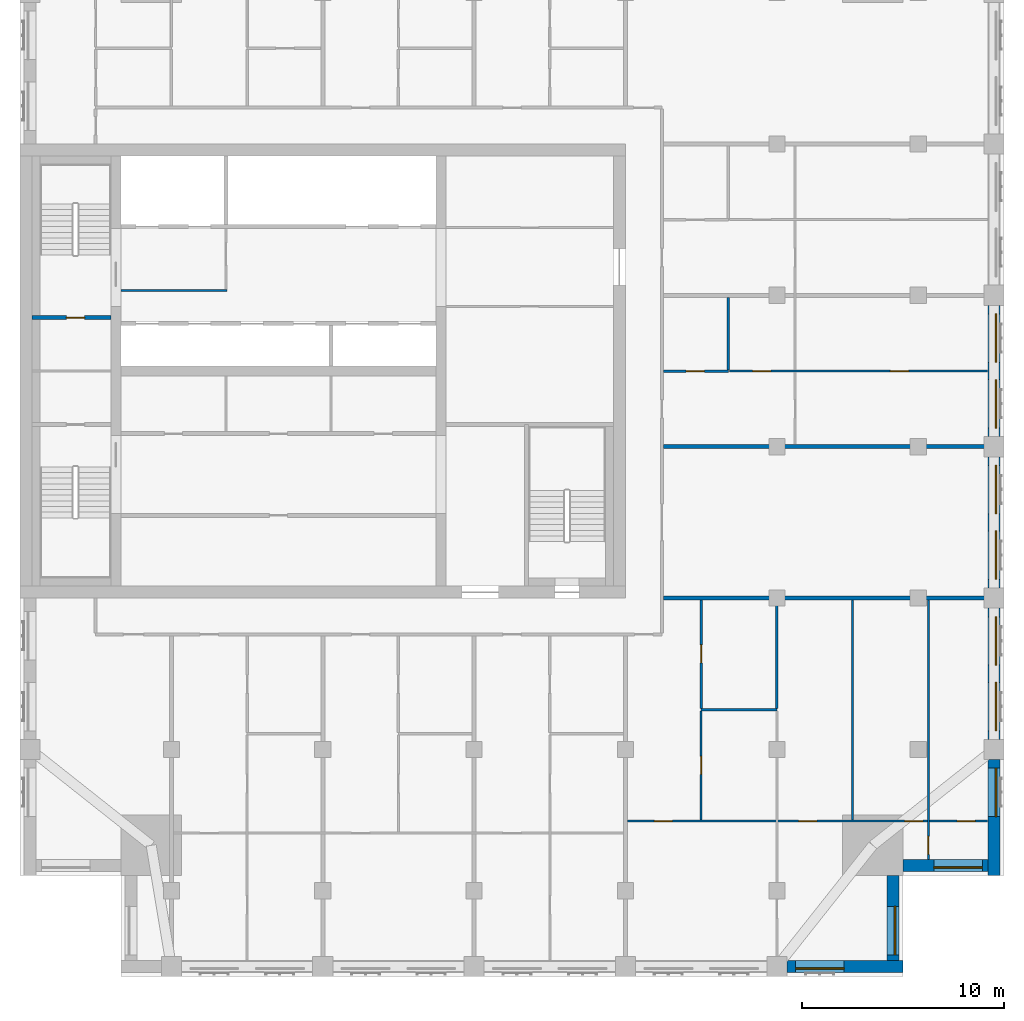
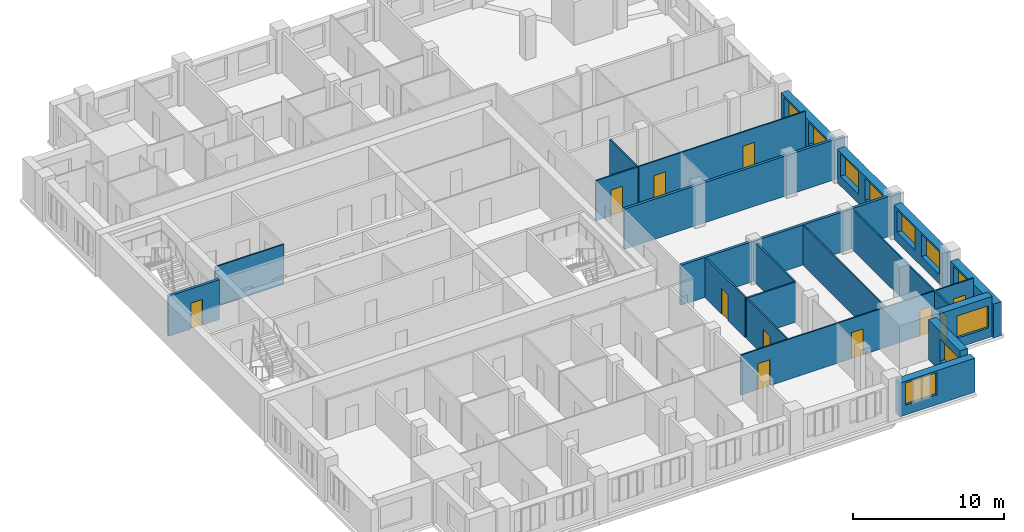
# One storey, part 5 of 11: 21 walls, 11 doors, 10 windows, 21 openings.
"""IFC4 building model written with IfcOpenShell, lengths in metres."""

from ifc_helpers import new_model, si_unit, direction, frame, frame_2d, origin, place, context, subcontext, project, spatial, rectangle, extrude, material, layer, layer_set, type_object, element, fill, save


model = new_model("IFC4")

# Units and contexts
model_context = context("Model", 3, precision=1e-05, world=origin(), true_north=direction((0.0, 1.0)))
body_context = subcontext(model_context, "Body", "Model", "MODEL_VIEW")
ifc_project = project(units=[si_unit("LENGTHUNIT", "METRE"), si_unit("AREAUNIT", "SQUARE_METRE"), si_unit("VOLUMEUNIT", "CUBIC_METRE"), si_unit("PLANEANGLEUNIT", "RADIAN"), si_unit("MASSUNIT", "GRAM", prefix="KILO")], contexts=[model_context])

# Site, building, storey
site_placement = place(None, origin())
site = spatial("IfcSite", under=ifc_project, at=site_placement, CompositionType="ELEMENT")
building_placement = place(site_placement, origin())
building = spatial("IfcBuilding", under=site, at=building_placement, Name="Tamorin Gate", CompositionType="ELEMENT")
storey_placement = place(building_placement, frame((0.0, 0.0, 240.699951171875)))
storey = spatial("IfcBuildingStorey", under=building, at=storey_placement, Name="L60", CompositionType="ELEMENT", Elevation=240.699951171875)

# Wall, opening, window
ifc_material_1 = material(Name="Precast concrete C40/50", Category="concrete")
ifc_layer_1 = layer(ifc_material_1, 0.60009765625)
ifc_layer_set_1 = layer_set([ifc_layer_1], Name="Precast concrete C40/50")
wall_type_1 = type_object("IfcWallType", Name="Board-marked concrete facade panel 600", PredefinedType="SOLIDWALL", material=ifc_layer_set_1)
wall_1_placement = place(storey_placement, frame((68.0, 41.75, 0.0), z_axis=(0.0, 0.0, 1.0), x_axis=(1.0, 0.0, 0.0)))
wall_1 = element("IfcWall", 1, at=wall_1_placement, inside=storey, type_object=wall_type_1, Name="Facade panel", PredefinedType="SOLIDWALL", context=body_context, shape_type="SweptSolid", body=[
    extrude(rectangle(XDim=5.75, YDim=0.60009765625, at=frame_2d((2.875, 0.0))), origin(), (0.0, 0.0, 1.0), 2.75),
])
opening_1_placement = place(wall_1_placement, frame((0.425048828125, 0.0, 0.800048828125)))
opening_1 = element("IfcOpeningElement", 2, at=opening_1_placement, cuts=wall_1, Name="Opening WN1", PredefinedType="OPENING", context=body_context, shape_type="SweptSolid", body=[
    extrude(rectangle(XDim=2.39990234375, YDim=1.800048828125, at=frame_2d((1.199951171875, 0.89990234375))), frame((0.0, 0.31005859375, 0.0), z_axis=(0.0, -1.0, 0.0), x_axis=(1.0, 0.0, 0.0)), (0.0, 0.0, 1.0), 0.6201171875),
])
ifc_material_2 = material(Name="Clear glass in aluminium frame", Category="aluminium")
window_type = type_object("IfcWindowType", Name="Deep-set window 2400x1800", PartitioningType="SINGLE_PANEL", PredefinedType="WINDOW", material=ifc_material_2)
window_1_placement = place(opening_1_placement, origin())
window_1 = element("IfcWindow", 3, at=window_1_placement, inside=storey, type_object=window_type, Name="Deep-set window", OverallHeight=1.800048828125, OverallWidth=2.39990234375, PartitioningType="SINGLE_PANEL", PredefinedType="WINDOW", context=body_context, shape_type="SweptSolid", body=[
    extrude(rectangle(XDim=2.39990234375, YDim=1.800048828125, at=frame_2d((1.199951171875, 0.89990234375))), frame((0.0, -0.070068359375, 0.0), z_axis=(0.0, -1.0, 0.0), x_axis=(1.0, 0.0, 0.0)), (0.0, 0.0, 1.0), 0.06005859375),
])
fill(opening_1, window_1)

wall_2_placement = place(storey_placement, frame((73.25, 42.050048828125, 0.0), z_axis=(0.0, 0.0, 1.0), x_axis=(0.0, 1.0, 0.0)))
wall_2 = element("IfcWall", 4, at=wall_2_placement, inside=storey, type_object=wall_type_1, Name="Facade panel", PredefinedType="SOLIDWALL", context=body_context, shape_type="SweptSolid", body=[
    extrude(rectangle(XDim=4.199951171875, YDim=0.60009765625, at=frame_2d((2.10009765625, 0.0))), origin(), (0.0, 0.0, 1.0), 3.25),
])
opening_2_placement = place(wall_2_placement, frame((0.27490234375, 0.0, 0.800048828125)))
opening_2 = element("IfcOpeningElement", 5, at=opening_2_placement, cuts=wall_2, Name="Opening WN1", PredefinedType="OPENING", context=body_context, shape_type="SweptSolid", body=[
    extrude(rectangle(XDim=2.39990234375, YDim=1.800048828125, at=frame_2d((1.199951171875, 0.89990234375))), frame((0.0, 0.31005859375, 0.0), z_axis=(0.0, -1.0, 0.0), x_axis=(1.0, 0.0, 0.0)), (0.0, 0.0, 1.0), 0.6201171875),
])
window_2_placement = place(opening_2_placement, origin())
window_2 = element("IfcWindow", 6, at=window_2_placement, inside=storey, type_object=window_type, Name="Deep-set window", OverallHeight=1.800048828125, OverallWidth=2.39990234375, PartitioningType="SINGLE_PANEL", PredefinedType="WINDOW", context=body_context, shape_type="SweptSolid", body=[
    extrude(rectangle(XDim=2.39990234375, YDim=1.800048828125, at=frame_2d((1.199951171875, 0.89990234375))), frame((0.0, -0.070068359375, 0.0), z_axis=(0.0, -1.0, 0.0), x_axis=(1.0, 0.0, 0.0)), (0.0, 0.0, 1.0), 0.06005859375),
])
fill(opening_2, window_2)

wall_3_placement = place(storey_placement, frame((73.75, 46.75, 0.0), z_axis=(0.0, 0.0, 1.0), x_axis=(1.0, 0.0, 0.0)))
wall_3 = element("IfcWall", 7, at=wall_3_placement, inside=storey, type_object=wall_type_1, Name="Facade panel", PredefinedType="SOLIDWALL", context=body_context, shape_type="SweptSolid", body=[
    extrude(rectangle(XDim=4.199951171875, YDim=0.60009765625, at=frame_2d((2.10009765625, 0.0))), origin(), (0.0, 0.0, 1.0), 3.25),
])
opening_3_placement = place(wall_3_placement, frame((1.52490234375, 0.0, 0.800048828125)))
opening_3 = element("IfcOpeningElement", 8, at=opening_3_placement, cuts=wall_3, Name="Opening WN1", PredefinedType="OPENING", context=body_context, shape_type="SweptSolid", body=[
    extrude(rectangle(XDim=2.39990234375, YDim=1.800048828125, at=frame_2d((1.199951171875, 0.89990234375))), frame((0.0, 0.31005859375, 0.0), z_axis=(0.0, -1.0, 0.0), x_axis=(1.0, 0.0, 0.0)), (0.0, 0.0, 1.0), 0.6201171875),
])
window_3_placement = place(opening_3_placement, origin())
window_3 = element("IfcWindow", 9, at=window_3_placement, inside=storey, type_object=window_type, Name="Deep-set window", OverallHeight=1.800048828125, OverallWidth=2.39990234375, PartitioningType="SINGLE_PANEL", PredefinedType="WINDOW", context=body_context, shape_type="SweptSolid", body=[
    extrude(rectangle(XDim=2.39990234375, YDim=1.800048828125, at=frame_2d((1.199951171875, 0.89990234375))), frame((0.0, -0.070068359375, 0.0), z_axis=(0.0, -1.0, 0.0), x_axis=(1.0, 0.0, 0.0)), (0.0, 0.0, 1.0), 0.06005859375),
])
fill(opening_3, window_3)

wall_4_placement = place(storey_placement, frame((78.25, 46.25, 0.0), z_axis=(0.0, 0.0, 1.0), x_axis=(0.0, 1.0, 0.0)))
wall_4 = element("IfcWall", 10, at=wall_4_placement, inside=storey, type_object=wall_type_1, Name="Facade panel", PredefinedType="SOLIDWALL", context=body_context, shape_type="SweptSolid", body=[
    extrude(rectangle(XDim=5.75, YDim=0.60009765625, at=frame_2d((2.875, 0.0))), origin(), (0.0, 0.0, 1.0), 2.75),
])
opening_4_placement = place(wall_4_placement, frame((2.925048828125, 0.0, 0.800048828125)))
opening_4 = element("IfcOpeningElement", 11, at=opening_4_placement, cuts=wall_4, Name="Opening WN1", PredefinedType="OPENING", context=body_context, shape_type="SweptSolid", body=[
    extrude(rectangle(XDim=2.39990234375, YDim=1.800048828125, at=frame_2d((1.199951171875, 0.89990234375))), frame((0.0, 0.31005859375, 0.0), z_axis=(0.0, -1.0, 0.0), x_axis=(1.0, 0.0, 0.0)), (0.0, 0.0, 1.0), 0.6201171875),
])
window_4_placement = place(opening_4_placement, origin())
window_4 = element("IfcWindow", 12, at=window_4_placement, inside=storey, type_object=window_type, Name="Deep-set window", OverallHeight=1.800048828125, OverallWidth=2.39990234375, PartitioningType="SINGLE_PANEL", PredefinedType="WINDOW", context=body_context, shape_type="SweptSolid", body=[
    extrude(rectangle(XDim=2.39990234375, YDim=1.800048828125, at=frame_2d((1.199951171875, 0.89990234375))), frame((0.0, -0.070068359375, 0.0), z_axis=(0.0, -1.0, 0.0), x_axis=(1.0, 0.0, 0.0)), (0.0, 0.0, 1.0), 0.06005859375),
])
fill(opening_4, window_4)

# Wall, openings, windows
wall_5_placement = place(storey_placement, frame((78.25, 53.0, 0.0), z_axis=(0.0, 0.0, 1.0), x_axis=(0.0, 1.0, 0.0)))
wall_5 = element("IfcWall", 13, at=wall_5_placement, inside=storey, type_object=wall_type_1, Name="Facade panel", PredefinedType="SOLIDWALL", context=body_context, shape_type="SweptSolid", body=[
    extrude(rectangle(XDim=6.5, YDim=0.60009765625, at=frame_2d((3.25, 0.0))), origin(), (0.0, 0.0, 1.0), 2.75),
])
opening_5_placement = place(wall_5_placement, frame((0.425048828125, 0.0, 0.800048828125)))
opening_5 = element("IfcOpeningElement", 14, at=opening_5_placement, cuts=wall_5, Name="Opening WN1", PredefinedType="OPENING", context=body_context, shape_type="SweptSolid", body=[
    extrude(rectangle(XDim=2.39990234375, YDim=1.800048828125, at=frame_2d((1.199951171875, 0.89990234375))), frame((0.0, 0.31005859375, 0.0), z_axis=(0.0, -1.0, 0.0), x_axis=(1.0, 0.0, 0.0)), (0.0, 0.0, 1.0), 0.6201171875),
])
opening_6_placement = place(wall_5_placement, frame((3.675048828125, 0.0, 0.800048828125)))
opening_6 = element("IfcOpeningElement", 15, at=opening_6_placement, cuts=wall_5, Name="Opening WN1", PredefinedType="OPENING", context=body_context, shape_type="SweptSolid", body=[
    extrude(rectangle(XDim=2.39990234375, YDim=1.800048828125, at=frame_2d((1.199951171875, 0.89990234375))), frame((0.0, 0.31005859375, 0.0), z_axis=(0.0, -1.0, 0.0), x_axis=(1.0, 0.0, 0.0)), (0.0, 0.0, 1.0), 0.6201171875),
])
window_5_placement = place(opening_5_placement, origin())
window_5 = element("IfcWindow", 16, at=window_5_placement, inside=storey, type_object=window_type, Name="Deep-set window", OverallHeight=1.800048828125, OverallWidth=2.39990234375, PartitioningType="SINGLE_PANEL", PredefinedType="WINDOW", context=body_context, shape_type="SweptSolid", body=[
    extrude(rectangle(XDim=2.39990234375, YDim=1.800048828125, at=frame_2d((1.199951171875, 0.89990234375))), frame((0.0, -0.070068359375, 0.0), z_axis=(0.0, -1.0, 0.0), x_axis=(1.0, 0.0, 0.0)), (0.0, 0.0, 1.0), 0.06005859375),
])
fill(opening_5, window_5)
window_6_placement = place(opening_6_placement, origin())
window_6 = element("IfcWindow", 17, at=window_6_placement, inside=storey, type_object=window_type, Name="Deep-set window", OverallHeight=1.800048828125, OverallWidth=2.39990234375, PartitioningType="SINGLE_PANEL", PredefinedType="WINDOW", context=body_context, shape_type="SweptSolid", body=[
    extrude(rectangle(XDim=2.39990234375, YDim=1.800048828125, at=frame_2d((1.199951171875, 0.89990234375))), frame((0.0, -0.070068359375, 0.0), z_axis=(0.0, -1.0, 0.0), x_axis=(1.0, 0.0, 0.0)), (0.0, 0.0, 1.0), 0.06005859375),
])
fill(opening_6, window_6)

wall_6_placement = place(storey_placement, frame((78.25, 60.5, 0.0), z_axis=(0.0, 0.0, 1.0), x_axis=(0.0, 1.0, 0.0)))
wall_6 = element("IfcWall", 18, at=wall_6_placement, inside=storey, type_object=wall_type_1, Name="Facade panel", PredefinedType="SOLIDWALL", context=body_context, shape_type="SweptSolid", body=[
    extrude(rectangle(XDim=6.5, YDim=0.60009765625, at=frame_2d((3.25, 0.0))), origin(), (0.0, 0.0, 1.0), 2.75),
])
opening_7_placement = place(wall_6_placement, frame((0.425048828125, 0.0, 0.800048828125)))
opening_7 = element("IfcOpeningElement", 19, at=opening_7_placement, cuts=wall_6, Name="Opening WN1", PredefinedType="OPENING", context=body_context, shape_type="SweptSolid", body=[
    extrude(rectangle(XDim=2.39990234375, YDim=1.800048828125, at=frame_2d((1.199951171875, 0.89990234375))), frame((0.0, 0.31005859375, 0.0), z_axis=(0.0, -1.0, 0.0), x_axis=(1.0, 0.0, 0.0)), (0.0, 0.0, 1.0), 0.6201171875),
])
opening_8_placement = place(wall_6_placement, frame((3.675048828125, 0.0, 0.800048828125)))
opening_8 = element("IfcOpeningElement", 20, at=opening_8_placement, cuts=wall_6, Name="Opening WN1", PredefinedType="OPENING", context=body_context, shape_type="SweptSolid", body=[
    extrude(rectangle(XDim=2.39990234375, YDim=1.800048828125, at=frame_2d((1.199951171875, 0.89990234375))), frame((0.0, 0.31005859375, 0.0), z_axis=(0.0, -1.0, 0.0), x_axis=(1.0, 0.0, 0.0)), (0.0, 0.0, 1.0), 0.6201171875),
])
window_7_placement = place(opening_7_placement, origin())
window_7 = element("IfcWindow", 21, at=window_7_placement, inside=storey, type_object=window_type, Name="Deep-set window", OverallHeight=1.800048828125, OverallWidth=2.39990234375, PartitioningType="SINGLE_PANEL", PredefinedType="WINDOW", context=body_context, shape_type="SweptSolid", body=[
    extrude(rectangle(XDim=2.39990234375, YDim=1.800048828125, at=frame_2d((1.199951171875, 0.89990234375))), frame((0.0, -0.070068359375, 0.0), z_axis=(0.0, -1.0, 0.0), x_axis=(1.0, 0.0, 0.0)), (0.0, 0.0, 1.0), 0.06005859375),
])
fill(opening_7, window_7)
window_8_placement = place(opening_8_placement, origin())
window_8 = element("IfcWindow", 22, at=window_8_placement, inside=storey, type_object=window_type, Name="Deep-set window", OverallHeight=1.800048828125, OverallWidth=2.39990234375, PartitioningType="SINGLE_PANEL", PredefinedType="WINDOW", context=body_context, shape_type="SweptSolid", body=[
    extrude(rectangle(XDim=2.39990234375, YDim=1.800048828125, at=frame_2d((1.199951171875, 0.89990234375))), frame((0.0, -0.070068359375, 0.0), z_axis=(0.0, -1.0, 0.0), x_axis=(1.0, 0.0, 0.0)), (0.0, 0.0, 1.0), 0.06005859375),
])
fill(opening_8, window_8)

wall_7_placement = place(storey_placement, frame((78.25, 68.0, 0.0), z_axis=(0.0, 0.0, 1.0), x_axis=(0.0, 1.0, 0.0)))
wall_7 = element("IfcWall", 23, at=wall_7_placement, inside=storey, type_object=wall_type_1, Name="Facade panel", PredefinedType="SOLIDWALL", context=body_context, shape_type="SweptSolid", body=[
    extrude(rectangle(XDim=6.5, YDim=0.60009765625, at=frame_2d((3.25, 0.0))), origin(), (0.0, 0.0, 1.0), 2.75),
])
opening_9_placement = place(wall_7_placement, frame((0.425048828125, 0.0, 0.800048828125)))
opening_9 = element("IfcOpeningElement", 24, at=opening_9_placement, cuts=wall_7, Name="Opening WN1", PredefinedType="OPENING", context=body_context, shape_type="SweptSolid", body=[
    extrude(rectangle(XDim=2.39990234375, YDim=1.800048828125, at=frame_2d((1.199951171875, 0.89990234375))), frame((0.0, 0.31005859375, 0.0), z_axis=(0.0, -1.0, 0.0), x_axis=(1.0, 0.0, 0.0)), (0.0, 0.0, 1.0), 0.6201171875),
])
opening_10_placement = place(wall_7_placement, frame((3.675048828125, 0.0, 0.800048828125)))
opening_10 = element("IfcOpeningElement", 25, at=opening_10_placement, cuts=wall_7, Name="Opening WN1", PredefinedType="OPENING", context=body_context, shape_type="SweptSolid", body=[
    extrude(rectangle(XDim=2.39990234375, YDim=1.800048828125, at=frame_2d((1.199951171875, 0.89990234375))), frame((0.0, 0.31005859375, 0.0), z_axis=(0.0, -1.0, 0.0), x_axis=(1.0, 0.0, 0.0)), (0.0, 0.0, 1.0), 0.6201171875),
])
window_9_placement = place(opening_9_placement, origin())
window_9 = element("IfcWindow", 26, at=window_9_placement, inside=storey, type_object=window_type, Name="Deep-set window", OverallHeight=1.800048828125, OverallWidth=2.39990234375, PartitioningType="SINGLE_PANEL", PredefinedType="WINDOW", context=body_context, shape_type="SweptSolid", body=[
    extrude(rectangle(XDim=2.39990234375, YDim=1.800048828125, at=frame_2d((1.199951171875, 0.89990234375))), frame((0.0, -0.070068359375, 0.0), z_axis=(0.0, -1.0, 0.0), x_axis=(1.0, 0.0, 0.0)), (0.0, 0.0, 1.0), 0.06005859375),
])
fill(opening_9, window_9)
window_10_placement = place(opening_10_placement, origin())
window_10 = element("IfcWindow", 27, at=window_10_placement, inside=storey, type_object=window_type, Name="Deep-set window", OverallHeight=1.800048828125, OverallWidth=2.39990234375, PartitioningType="SINGLE_PANEL", PredefinedType="WINDOW", context=body_context, shape_type="SweptSolid", body=[
    extrude(rectangle(XDim=2.39990234375, YDim=1.800048828125, at=frame_2d((1.199951171875, 0.89990234375))), frame((0.0, -0.070068359375, 0.0), z_axis=(0.0, -1.0, 0.0), x_axis=(1.0, 0.0, 0.0)), (0.0, 0.0, 1.0), 0.06005859375),
])
fill(opening_10, window_10)

# Walls
ifc_material_3 = material(Name="Gypsum board partition")
ifc_layer_2 = layer(ifc_material_3, 0.199951171875)
ifc_layer_set_2 = layer_set([ifc_layer_2], Name="Demising wall 200")
wall_type_2 = type_object("IfcWallType", Name="Demising wall 200", PredefinedType="PARTITIONING", material=ifc_layer_set_2)
for number, where, z_axis, x_axis, name in (
    (28, (61.875, 60.0, 0.0), (0.0, 0.0, 1.0), (1.0, 0.0, 0.0), "Demising wall 200"),
    (29, (61.875, 67.5, 0.0), (0.0, 0.0, 1.0), (1.0, 0.0, 0.0), "Demising wall 200"),
):
    element("IfcWall", number, at=place(storey_placement, frame(where, z_axis=z_axis, x_axis=x_axis)), inside=storey, type_object=wall_type_2, Name=name, PredefinedType="PARTITIONING", context=body_context, shape_type="SweptSolid", body=[
        extrude(rectangle(XDim=16.875, YDim=0.199951171875, at=frame_2d((8.4375, 0.0))), origin(), (0.0, 0.0, 1.0), 3.25),
    ])
ifc_material_4 = material(Name="Fire-rated gypsum board partition")
ifc_layer_3 = layer(ifc_material_4, 0.10009765625)
ifc_layer_set_3 = layer_set([ifc_layer_3], Name="Lobby wall 100 EI 60")
wall_type_3 = type_object("IfcWallType", Name="Lobby wall 100 EI 60", PredefinedType="PARTITIONING", material=ifc_layer_set_3)
wall_8_placement = place(storey_placement, frame((35.0, 75.25, 0.0), z_axis=(0.0, 0.0, 1.0), x_axis=(1.0, 0.0, 0.0)))
element("IfcWall", 30, at=wall_8_placement, inside=storey, type_object=wall_type_3, Name="Firefighting lobby wall", PredefinedType="PARTITIONING", context=body_context, shape_type="SweptSolid", body=[
    extrude(rectangle(XDim=5.25, YDim=0.10009765625, at=frame_2d((2.625, 0.0))), origin(), (0.0, 0.0, 1.0), 3.25),
])

# Wall, openings, doors
ifc_layer_4 = layer(ifc_material_3, 0.10009765625)
ifc_layer_set_4 = layer_set([ifc_layer_4], Name="Room partition 100")
wall_type_4 = type_object("IfcWallType", Name="Room partition 100", PredefinedType="PARTITIONING", material=ifc_layer_set_4)
wall_9_placement = place(storey_placement, frame((60.10009765625, 48.949951171875, 0.0), z_axis=(0.0, 0.0, 1.0), x_axis=(1.0, 0.0, 0.0)))
wall_9 = element("IfcWall", 31, at=wall_9_placement, inside=storey, type_object=wall_type_4, Name="Room partition 100", PredefinedType="PARTITIONING", context=body_context, shape_type="SweptSolid", body=[
    extrude(rectangle(XDim=17.83984375, YDim=0.10009765625, at=frame_2d((8.919921875, 0.0))), origin(), (0.0, 0.0, 1.0), 3.25),
])
opening_11_placement = place(wall_9_placement, frame((1.324951171875, 0.0, 0.0)))
opening_11 = element("IfcOpeningElement", 32, at=opening_11_placement, cuts=wall_9, Name="Opening DR6017", PredefinedType="OPENING", context=body_context, shape_type="SweptSolid", body=[
    extrude(rectangle(XDim=0.89990234375, YDim=2.10009765625, at=frame_2d((0.449951171875, 1.050048828125))), frame((0.0, 0.06005859375, 0.0), z_axis=(0.0, -1.0, 0.0), x_axis=(1.0, 0.0, 0.0)), (0.0, 0.0, 1.0), 0.1201171875),
])
opening_12_placement = place(wall_9_placement, frame((8.47509765625, 0.0, 0.0)))
opening_12 = element("IfcOpeningElement", 33, at=opening_12_placement, cuts=wall_9, Name="Opening DR6020", PredefinedType="OPENING", context=body_context, shape_type="SweptSolid", body=[
    extrude(rectangle(XDim=0.89990234375, YDim=2.10009765625, at=frame_2d((0.449951171875, 1.050048828125))), frame((0.0, 0.06005859375, 0.0), z_axis=(0.0, -1.0, 0.0), x_axis=(1.0, 0.0, 0.0)), (0.0, 0.0, 1.0), 0.1201171875),
])
opening_13_placement = place(wall_9_placement, frame((13.72509765625, 0.0, 0.0)))
opening_13 = element("IfcOpeningElement", 34, at=opening_13_placement, cuts=wall_9, Name="Opening DR6021", PredefinedType="OPENING", context=body_context, shape_type="SweptSolid", body=[
    extrude(rectangle(XDim=0.89990234375, YDim=2.10009765625, at=frame_2d((0.449951171875, 1.050048828125))), frame((0.0, 0.06005859375, 0.0), z_axis=(0.0, -1.0, 0.0), x_axis=(1.0, 0.0, 0.0)), (0.0, 0.0, 1.0), 0.1201171875),
])
opening_14_placement = place(wall_9_placement, frame((16.324951171875, 0.0, 0.0)))
opening_14 = element("IfcOpeningElement", 35, at=opening_14_placement, cuts=wall_9, Name="Opening DR6022", PredefinedType="OPENING", context=body_context, shape_type="SweptSolid", body=[
    extrude(rectangle(XDim=0.89990234375, YDim=2.10009765625, at=frame_2d((0.449951171875, 1.050048828125))), frame((0.0, 0.06005859375, 0.0), z_axis=(0.0, -1.0, 0.0), x_axis=(1.0, 0.0, 0.0)), (0.0, 0.0, 1.0), 0.1201171875),
])
ifc_material_5 = material(Name="Timber door leaf", Category="wood")
door_type_1 = type_object("IfcDoorType", Name="Door 900 x 2100", OperationType="NOTDEFINED", PredefinedType="DOOR", material=ifc_material_5)
door_1_placement = place(opening_11_placement, origin())
door_1 = element("IfcDoor", 36, at=door_1_placement, inside=storey, type_object=door_type_1, Name="Door DR6017", OperationType="SINGLE_SWING_LEFT", OverallHeight=2.10009765625, OverallWidth=0.89990234375, PredefinedType="DOOR", context=body_context, shape_type="SweptSolid", body=[
    extrude(rectangle(XDim=0.89990234375, YDim=2.10009765625, at=frame_2d((0.449951171875, 1.050048828125))), frame((0.0, 0.02490234375, 0.0), z_axis=(0.0, -1.0, 0.0), x_axis=(1.0, 0.0, 0.0)), (0.0, 0.0, 1.0), 0.050048828125),
])
fill(opening_11, door_1)
door_2_placement = place(opening_12_placement, origin())
door_2 = element("IfcDoor", 37, at=door_2_placement, inside=storey, type_object=door_type_1, Name="Door DR6020", OperationType="SINGLE_SWING_LEFT", OverallHeight=2.10009765625, OverallWidth=0.89990234375, PredefinedType="DOOR", context=body_context, shape_type="SweptSolid", body=[
    extrude(rectangle(XDim=0.89990234375, YDim=2.10009765625, at=frame_2d((0.449951171875, 1.050048828125))), frame((0.0, 0.02490234375, 0.0), z_axis=(0.0, -1.0, 0.0), x_axis=(1.0, 0.0, 0.0)), (0.0, 0.0, 1.0), 0.050048828125),
])
fill(opening_12, door_2)
door_3_placement = place(opening_13_placement, origin())
door_3 = element("IfcDoor", 38, at=door_3_placement, inside=storey, type_object=door_type_1, Name="Door DR6021", OperationType="SINGLE_SWING_RIGHT", OverallHeight=2.10009765625, OverallWidth=0.89990234375, PredefinedType="DOOR", context=body_context, shape_type="SweptSolid", body=[
    extrude(rectangle(XDim=0.89990234375, YDim=2.10009765625, at=frame_2d((0.449951171875, 1.050048828125))), frame((0.0, 0.02490234375, 0.0), z_axis=(0.0, -1.0, 0.0), x_axis=(1.0, 0.0, 0.0)), (0.0, 0.0, 1.0), 0.050048828125),
])
fill(opening_13, door_3)
door_4_placement = place(opening_14_placement, origin())
door_4 = element("IfcDoor", 39, at=door_4_placement, inside=storey, type_object=door_type_1, Name="Door DR6022", OperationType="SINGLE_SWING_LEFT", OverallHeight=2.10009765625, OverallWidth=0.89990234375, PredefinedType="DOOR", context=body_context, shape_type="SweptSolid", body=[
    extrude(rectangle(XDim=0.89990234375, YDim=2.10009765625, at=frame_2d((0.449951171875, 1.050048828125))), frame((0.0, 0.02490234375, 0.0), z_axis=(0.0, -1.0, 0.0), x_axis=(1.0, 0.0, 0.0)), (0.0, 0.0, 1.0), 0.050048828125),
])
fill(opening_14, door_4)

wall_10_placement = place(storey_placement, frame((65.16259765625, 71.25, 0.0), z_axis=(0.0, 0.0, 1.0), x_axis=(1.0, 0.0, 0.0)))
wall_10 = element("IfcWall", 40, at=wall_10_placement, inside=storey, type_object=wall_type_4, Name="Room partition 100", PredefinedType="PARTITIONING", context=body_context, shape_type="SweptSolid", body=[
    extrude(rectangle(XDim=12.77734375, YDim=0.10009765625, at=frame_2d((6.388671875, 0.0))), origin(), (0.0, 0.0, 1.0), 3.25),
])
opening_15_placement = place(wall_10_placement, frame((1.137451171875, 0.0, 0.0)))
opening_15 = element("IfcOpeningElement", 41, at=opening_15_placement, cuts=wall_10, Name="Opening DR6047", PredefinedType="OPENING", context=body_context, shape_type="SweptSolid", body=[
    extrude(rectangle(XDim=0.89990234375, YDim=2.10009765625, at=frame_2d((0.449951171875, 1.050048828125))), frame((0.0, 0.06005859375, 0.0), z_axis=(0.0, -1.0, 0.0), x_axis=(1.0, 0.0, 0.0)), (0.0, 0.0, 1.0), 0.1201171875),
])
opening_16_placement = place(wall_10_placement, frame((7.96240234375, 0.0, 0.0)))
opening_16 = element("IfcOpeningElement", 42, at=opening_16_placement, cuts=wall_10, Name="Opening DR6049", PredefinedType="OPENING", context=body_context, shape_type="SweptSolid", body=[
    extrude(rectangle(XDim=0.89990234375, YDim=2.10009765625, at=frame_2d((0.449951171875, 1.050048828125))), frame((0.0, 0.06005859375, 0.0), z_axis=(0.0, -1.0, 0.0), x_axis=(1.0, 0.0, 0.0)), (0.0, 0.0, 1.0), 0.1201171875),
])
door_5_placement = place(opening_15_placement, origin())
door_5 = element("IfcDoor", 43, at=door_5_placement, inside=storey, type_object=door_type_1, Name="Door DR6047", OperationType="SINGLE_SWING_LEFT", OverallHeight=2.10009765625, OverallWidth=0.89990234375, PredefinedType="DOOR", context=body_context, shape_type="SweptSolid", body=[
    extrude(rectangle(XDim=0.89990234375, YDim=2.10009765625, at=frame_2d((0.449951171875, 1.050048828125))), frame((0.0, 0.02490234375, 0.0), z_axis=(0.0, -1.0, 0.0), x_axis=(1.0, 0.0, 0.0)), (0.0, 0.0, 1.0), 0.050048828125),
])
fill(opening_15, door_5)
door_6_placement = place(opening_16_placement, origin())
door_6 = element("IfcDoor", 44, at=door_6_placement, inside=storey, type_object=door_type_1, Name="Door DR6049", OperationType="SINGLE_SWING_LEFT", OverallHeight=2.10009765625, OverallWidth=0.89990234375, PredefinedType="DOOR", context=body_context, shape_type="SweptSolid", body=[
    extrude(rectangle(XDim=0.89990234375, YDim=2.10009765625, at=frame_2d((0.449951171875, 1.050048828125))), frame((0.0, 0.02490234375, 0.0), z_axis=(0.0, -1.0, 0.0), x_axis=(1.0, 0.0, 0.0)), (0.0, 0.0, 1.0), 0.050048828125),
])
fill(opening_16, door_6)

# Wall, opening, door
wall_11_placement = place(storey_placement, frame((63.75, 49.0, 0.0), z_axis=(0.0, 0.0, 1.0), x_axis=(0.0, 1.0, 0.0)))
wall_11 = element("IfcWall", 45, at=wall_11_placement, inside=storey, type_object=wall_type_4, Name="Room partition 100", PredefinedType="PARTITIONING", context=body_context, shape_type="SweptSolid", body=[
    extrude(rectangle(XDim=5.41259765625, YDim=0.10009765625, at=frame_2d((2.706298828125, 0.0))), origin(), (0.0, 0.0, 1.0), 3.25),
])
opening_17_placement = place(wall_11_placement, frame((2.262451171875, 0.0, 0.0)))
opening_17 = element("IfcOpeningElement", 46, at=opening_17_placement, cuts=wall_11, Name="Opening DR6018", PredefinedType="OPENING", context=body_context, shape_type="SweptSolid", body=[
    extrude(rectangle(XDim=0.89990234375, YDim=2.10009765625, at=frame_2d((0.449951171875, 1.050048828125))), frame((0.0, 0.06005859375, 0.0), z_axis=(0.0, -1.0, 0.0), x_axis=(1.0, 0.0, 0.0)), (0.0, 0.0, 1.0), 0.1201171875),
])
door_7_placement = place(opening_17_placement, origin())
door_7 = element("IfcDoor", 47, at=door_7_placement, inside=storey, type_object=door_type_1, Name="Door DR6018", OperationType="SINGLE_SWING_RIGHT", OverallHeight=2.10009765625, OverallWidth=0.89990234375, PredefinedType="DOOR", context=body_context, shape_type="SweptSolid", body=[
    extrude(rectangle(XDim=0.89990234375, YDim=2.10009765625, at=frame_2d((0.449951171875, 1.050048828125))), frame((0.0, 0.02490234375, 0.0), z_axis=(0.0, -1.0, 0.0), x_axis=(1.0, 0.0, 0.0)), (0.0, 0.0, 1.0), 0.050048828125),
])
fill(opening_17, door_7)

# Wall
wall_12_placement = place(storey_placement, frame((71.25, 49.0, 0.0), z_axis=(0.0, 0.0, 1.0), x_axis=(0.0, 1.0, 0.0)))
element("IfcWall", 48, at=wall_12_placement, inside=storey, type_object=wall_type_4, Name="Room partition 100", PredefinedType="PARTITIONING", context=body_context, shape_type="SweptSolid", body=[
    extrude(rectangle(XDim=10.89990234375, YDim=0.10009765625, at=frame_2d((5.449951171875, 0.0))), origin(), (0.0, 0.0, 1.0), 3.25),
])

# Wall, opening, door
wall_13_placement = place(storey_placement, frame((75.0, 47.06005859375, 0.0), z_axis=(0.0, 0.0, 1.0), x_axis=(0.0, 1.0, 0.0)))
wall_13 = element("IfcWall", 49, at=wall_13_placement, inside=storey, type_object=wall_type_4, Name="Room partition 100", PredefinedType="PARTITIONING", context=body_context, shape_type="SweptSolid", body=[
    extrude(rectangle(XDim=12.83984375, YDim=0.10009765625, at=frame_2d((6.419921875, 0.0))), origin(), (0.0, 0.0, 1.0), 3.25),
])
opening_18_placement = place(wall_13_placement, frame((0.239990234375, 0.0, 0.0)))
opening_18 = element("IfcOpeningElement", 50, at=opening_18_placement, cuts=wall_13, Name="Opening DR6024", PredefinedType="OPENING", context=body_context, shape_type="SweptSolid", body=[
    extrude(rectangle(XDim=0.89990234375, YDim=2.10009765625, at=frame_2d((0.449951171875, 1.050048828125))), frame((0.0, 0.06005859375, 0.0), z_axis=(0.0, -1.0, 0.0), x_axis=(1.0, 0.0, 0.0)), (0.0, 0.0, 1.0), 0.1201171875),
])
door_8_placement = place(opening_18_placement, origin())
door_8 = element("IfcDoor", 51, at=door_8_placement, inside=storey, type_object=door_type_1, Name="Door DR6024", OperationType="SINGLE_SWING_RIGHT", OverallHeight=2.10009765625, OverallWidth=0.89990234375, PredefinedType="DOOR", context=body_context, shape_type="SweptSolid", body=[
    extrude(rectangle(XDim=0.89990234375, YDim=2.10009765625, at=frame_2d((0.449951171875, 1.050048828125))), frame((0.0, 0.02490234375, 0.0), z_axis=(0.0, -1.0, 0.0), x_axis=(1.0, 0.0, 0.0)), (0.0, 0.0, 1.0), 0.050048828125),
])
fill(opening_18, door_8)

ifc_material_6 = material(Name="Concrete C40/50", Category="concrete")
ifc_layer_5 = layer(ifc_material_6, 0.199951171875)
ifc_layer_set_5 = layer_set([ifc_layer_5], Name="Stair enclosure wall 200 EI 120 C40/50")
wall_type_5 = type_object("IfcWallType", Name="Stair enclosure wall 200 EI 120 C40/50", PredefinedType="SOLIDWALL", material=ifc_layer_set_5)
wall_14_placement = place(storey_placement, frame((30.60009765625, 73.89990234375, 0.0), z_axis=(0.0, 0.0, 1.0), x_axis=(1.0, 0.0, 0.0)))
wall_14 = element("IfcWall", 52, at=wall_14_placement, inside=storey, type_object=wall_type_5, Name="Stair enclosure wall", PredefinedType="SOLIDWALL", context=body_context, shape_type="SweptSolid", body=[
    extrude(rectangle(XDim=3.89990234375, YDim=0.199951171875, at=frame_2d((1.949951171875, 0.0))), origin(), (0.0, 0.0, 1.0), 3.25),
])
opening_19_placement = place(wall_14_placement, frame((1.699951171875, 0.0, 0.0)))
opening_19 = element("IfcOpeningElement", 53, at=opening_19_placement, cuts=wall_14, Name="Opening DR1", PredefinedType="OPENING", context=body_context, shape_type="SweptSolid", body=[
    extrude(rectangle(XDim=0.89990234375, YDim=2.10009765625, at=frame_2d((0.449951171875, 1.050048828125))), frame((0.0, 0.10986328125, 0.0), z_axis=(0.0, -1.0, 0.0), x_axis=(1.0, 0.0, 0.0)), (0.0, 0.0, 1.0), 0.219970703125),
])
ifc_material_7 = material(Name="Steel fire door", Category="steel")
door_type_2 = type_object("IfcDoorType", Name="Riser access door 900 x 2100 EI 120", OperationType="SINGLE_SWING_LEFT", PredefinedType="DOOR", material=ifc_material_7)
door_9_placement = place(opening_19_placement, origin())
door_9 = element("IfcDoor", 54, at=door_9_placement, inside=storey, type_object=door_type_2, Name="Communications riser door", OperationType="SINGLE_SWING_RIGHT", OverallHeight=2.10009765625, OverallWidth=0.89990234375, PredefinedType="DOOR", context=body_context, shape_type="SweptSolid", body=[
    extrude(rectangle(XDim=0.89990234375, YDim=2.10009765625, at=frame_2d((0.449951171875, 1.050048828125))), frame((0.0, 0.02490234375, 0.0), z_axis=(0.0, -1.0, 0.0), x_axis=(1.0, 0.0, 0.0)), (0.0, 0.0, 1.0), 0.050048828125),
])
fill(opening_19, door_9)

# Wall
ifc_layer_6 = layer(ifc_material_3, 0.125)
ifc_layer_set_6 = layer_set([ifc_layer_6], Name="Wet wall 125")
wall_type_6 = type_object("IfcWallType", Name="Wet wall 125", PredefinedType="PARTITIONING", material=ifc_layer_set_6)
wall_15_placement = place(storey_placement, frame((63.75, 54.47509765625, 0.0), z_axis=(0.0, 0.0, 1.0), x_axis=(1.0, 0.0, 0.0)))
element("IfcWall", 55, at=wall_15_placement, inside=storey, type_object=wall_type_6, Name="Wet wall 125", PredefinedType="PARTITIONING", context=body_context, shape_type="SweptSolid", body=[
    extrude(rectangle(XDim=3.75, YDim=0.125, at=frame_2d((1.875, 0.0))), origin(), (0.0, 0.0, 1.0), 3.25),
])

# Wall, opening, door
wall_16_placement = place(storey_placement, frame((61.875, 71.25, 0.0), z_axis=(0.0, 0.0, 1.0), x_axis=(1.0, 0.0, 0.0)))
wall_16 = element("IfcWall", 56, at=wall_16_placement, inside=storey, type_object=wall_type_6, Name="Wet wall 125", PredefinedType="PARTITIONING", context=body_context, shape_type="SweptSolid", body=[
    extrude(rectangle(XDim=3.22509765625, YDim=0.125, at=frame_2d((1.612548828125, 0.0))), origin(), (0.0, 0.0, 1.0), 3.25),
])
opening_20_placement = place(wall_16_placement, frame((1.125, 0.0, 0.0)))
opening_20 = element("IfcOpeningElement", 57, at=opening_20_placement, cuts=wall_16, Name="Opening DR6048", PredefinedType="OPENING", context=body_context, shape_type="SweptSolid", body=[
    extrude(rectangle(XDim=0.89990234375, YDim=2.10009765625, at=frame_2d((0.449951171875, 1.050048828125))), frame((0.0, 0.072509765625, 0.0), z_axis=(0.0, -1.0, 0.0), x_axis=(1.0, 0.0, 0.0)), (0.0, 0.0, 1.0), 0.14501953125),
])
door_10_placement = place(opening_20_placement, origin())
door_10 = element("IfcDoor", 58, at=door_10_placement, inside=storey, type_object=door_type_1, Name="Door DR6048", OperationType="SINGLE_SWING_RIGHT", OverallHeight=2.10009765625, OverallWidth=0.89990234375, PredefinedType="DOOR", context=body_context, shape_type="SweptSolid", body=[
    extrude(rectangle(XDim=0.89990234375, YDim=2.10009765625, at=frame_2d((0.449951171875, 1.050048828125))), frame((0.0, 0.02490234375, 0.0), z_axis=(0.0, -1.0, 0.0), x_axis=(1.0, 0.0, 0.0)), (0.0, 0.0, 1.0), 0.050048828125),
])
fill(opening_20, door_10)

wall_17_placement = place(storey_placement, frame((63.75, 54.53759765625, 0.0), z_axis=(0.0, 0.0, 1.0), x_axis=(0.0, 1.0, 0.0)))
wall_17 = element("IfcWall", 59, at=wall_17_placement, inside=storey, type_object=wall_type_6, Name="Wet wall 125", PredefinedType="PARTITIONING", context=body_context, shape_type="SweptSolid", body=[
    extrude(rectangle(XDim=5.3623046875, YDim=0.125, at=frame_2d((2.68115234375, 0.0))), origin(), (0.0, 0.0, 1.0), 3.25),
])
opening_21_placement = place(wall_17_placement, frame((2.25, 0.0, 0.0)))
opening_21 = element("IfcOpeningElement", 60, at=opening_21_placement, cuts=wall_17, Name="Opening DR6019", PredefinedType="OPENING", context=body_context, shape_type="SweptSolid", body=[
    extrude(rectangle(XDim=0.89990234375, YDim=2.10009765625, at=frame_2d((0.449951171875, 1.050048828125))), frame((0.0, 0.072509765625, 0.0), z_axis=(0.0, -1.0, 0.0), x_axis=(1.0, 0.0, 0.0)), (0.0, 0.0, 1.0), 0.14501953125),
])
door_11_placement = place(opening_21_placement, origin())
door_11 = element("IfcDoor", 61, at=door_11_placement, inside=storey, type_object=door_type_1, Name="Door DR6019", OperationType="SINGLE_SWING_RIGHT", OverallHeight=2.10009765625, OverallWidth=0.89990234375, PredefinedType="DOOR", context=body_context, shape_type="SweptSolid", body=[
    extrude(rectangle(XDim=0.89990234375, YDim=2.10009765625, at=frame_2d((0.449951171875, 1.050048828125))), frame((0.0, 0.02490234375, 0.0), z_axis=(0.0, -1.0, 0.0), x_axis=(1.0, 0.0, 0.0)), (0.0, 0.0, 1.0), 0.050048828125),
])
fill(opening_21, door_11)

# Walls
wall_18_placement = place(storey_placement, frame((65.10009765625, 71.3125, 0.0), z_axis=(0.0, 0.0, 1.0), x_axis=(0.0, 1.0, 0.0)))
element("IfcWall", 62, at=wall_18_placement, inside=storey, type_object=wall_type_6, Name="Wet wall 125", PredefinedType="PARTITIONING", context=body_context, shape_type="SweptSolid", body=[
    extrude(rectangle(XDim=3.58740234375, YDim=0.125, at=frame_2d((1.793701171875, 0.0))), origin(), (0.0, 0.0, 1.0), 3.25),
])
wall_19_placement = place(storey_placement, frame((67.5, 54.53759765625, 0.0), z_axis=(0.0, 0.0, 1.0), x_axis=(0.0, 1.0, 0.0)))
element("IfcWall", 63, at=wall_19_placement, inside=storey, type_object=wall_type_6, Name="Wet wall 125", PredefinedType="PARTITIONING", context=body_context, shape_type="SweptSolid", body=[
    extrude(rectangle(XDim=5.3623046875, YDim=0.125, at=frame_2d((2.68115234375, 0.0))), origin(), (0.0, 0.0, 1.0), 3.25),
])

save(model, "model.ifc")
